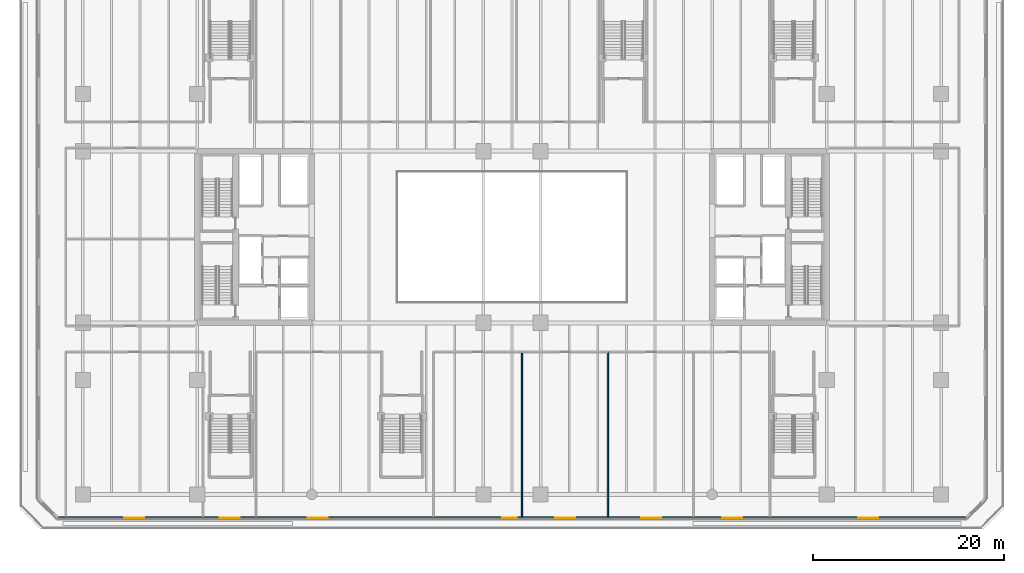
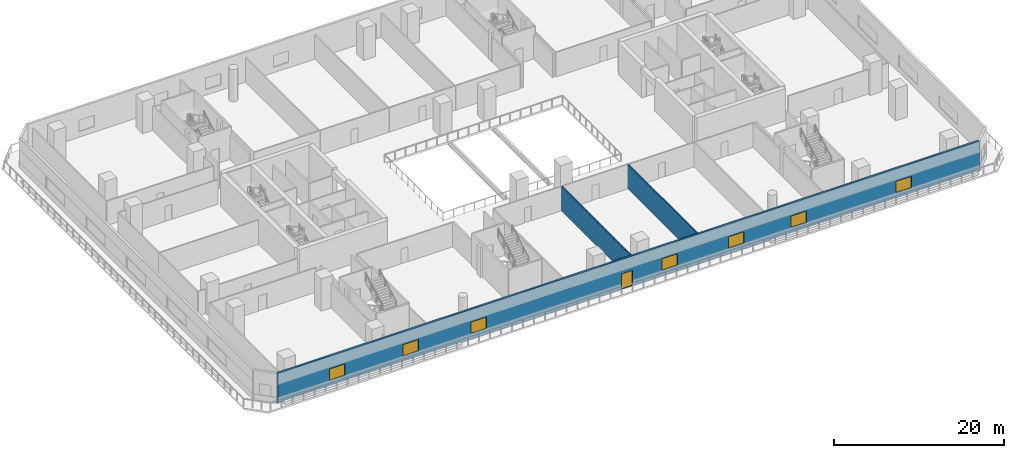
# One storey, part 5 of 27: 7 windows, 3 walls, 1 door, 8 openings.
"""IFC4 building model written with IfcOpenShell, lengths in metres."""

from ifc_helpers import new_model, si_unit, direction, frame, frame_2d, origin, place, context, subcontext, project, spatial, rectangle, extrude, material, layer, layer_set, type_object, element, fill, save


model = new_model("IFC4")

# Units and contexts
model_context = context("Model", 3, precision=1e-05, world=origin(), true_north=direction((0.0, 1.0)))
body_context = subcontext(model_context, "Body", "Model", "MODEL_VIEW")
ifc_project = project(units=[si_unit("LENGTHUNIT", "METRE"), si_unit("AREAUNIT", "SQUARE_METRE"), si_unit("VOLUMEUNIT", "CUBIC_METRE"), si_unit("PLANEANGLEUNIT", "RADIAN"), si_unit("MASSUNIT", "GRAM", prefix="KILO")], contexts=[model_context])

# Site, building, storey
site_placement = place(None, origin())
site = spatial("IfcSite", under=ifc_project, at=site_placement, CompositionType="ELEMENT")
building_placement = place(site_placement, origin())
building = spatial("IfcBuilding", under=site, at=building_placement, Name="Tanjung Sevakor Pilgrim Tower", CompositionType="ELEMENT")
storey_placement = place(building_placement, frame((0.0, 0.0, 19.469970703125)))
storey = spatial("IfcBuildingStorey", under=building, at=storey_placement, Name="L05", CompositionType="ELEMENT", Elevation=19.469970703125)

# Walls
ifc_material_1 = material(Name="Concrete C40/50", Category="concrete")
ifc_layer_1 = layer(ifc_material_1, 0.14990234375)
ifc_layer_set_1 = layer_set([ifc_layer_1], Name="WT-COMP-150")
wall_type_1 = type_object("IfcWallType", Name="WT-COMP-150", PredefinedType="SOLIDWALL", material=ifc_layer_set_1)
for number, where, z_axis, x_axis, name in (
    (1, (58.050048828125, 4.280029296875, 0.0), (0.0, 0.0, 1.0), (0.0, 1.0, 0.0), "L05 Partition IW-L05-041"),
    (2, (67.050048828125, 4.280029296875, 0.0), (0.0, 0.0, 1.0), (0.0, 1.0, 0.0), "L05 Partition IW-L05-043"),
):
    element("IfcWall", number, at=place(storey_placement, frame(where, z_axis=z_axis, x_axis=x_axis)), inside=storey, type_object=wall_type_1, Name=name, PredefinedType="SOLIDWALL", context=body_context, shape_type="SweptSolid", body=[
        extrude(rectangle(XDim=17.27001953125, YDim=0.14990234375, at=frame_2d((8.635009765625, 0.0))), origin(), (0.0, 0.0, 1.0), 3.489990234375),
    ])

# Wall, openings, door, windows
ifc_material_2 = material(Name="Precast concrete C45/55", Category="concrete")
ifc_layer_2 = layer(ifc_material_2, 0.280029296875)
ifc_layer_set_2 = layer_set([ifc_layer_2], Name="WT-EW-STN2")
wall_type_2 = type_object("IfcWallType", Name="WT-EW-STN2", PredefinedType="SOLIDWALL", material=ifc_layer_set_2)
wall_placement = place(storey_placement, frame((9.35791015625, 4.139892578125, 0.0), z_axis=(0.0, 0.0, 1.0), x_axis=(1.0, 0.0, 0.0)))
wall = element("IfcWall", 3, at=wall_placement, inside=storey, type_object=wall_type_2, Name="L05 MAIN Exterior Wall 1", PredefinedType="SOLIDWALL", context=body_context, shape_type="SweptSolid", body=[
    extrude(rectangle(XDim=95.2841796875, YDim=0.280029296875, at=frame_2d((47.64208984375, 0.0))), origin(), (0.0, 0.0, 1.0), 4.27001953125),
])
opening_1_placement = place(wall_placement, frame((46.64208984375, 0.0, 0.0)))
opening_1 = element("IfcOpeningElement", 4, at=opening_1_placement, cuts=wall, Name="Opening ED-TER-1500", PredefinedType="OPENING", context=body_context, shape_type="SweptSolid", body=[
    extrude(rectangle(XDim=1.5, YDim=2.199951171875, at=frame_2d((0.75, 1.10009765625))), frame((0.0, 0.14990234375, 0.0), z_axis=(0.0, -1.0, 0.0), x_axis=(1.0, 0.0, 0.0)), (0.0, 0.0, 1.0), 0.300048828125),
])
opening_2_placement = place(wall_placement, frame((26.241943359375, 0.0, 0.780029296875)))
opening_2 = element("IfcOpeningElement", 5, at=opening_2_placement, cuts=wall, Name="Opening WN-P2-1660", PredefinedType="OPENING", context=body_context, shape_type="SweptSolid", body=[
    extrude(rectangle(XDim=2.10009765625, YDim=1.659912109375, at=frame_2d((1.050048828125, 0.830078125))), frame((0.0, 0.14990234375, 0.0), z_axis=(0.0, -1.0, 0.0), x_axis=(1.0, 0.0, 0.0)), (0.0, 0.0, 1.0), 0.300048828125),
])
opening_3_placement = place(wall_placement, frame((52.19189453125, 0.0, 0.780029296875)))
opening_3 = element("IfcOpeningElement", 6, at=opening_3_placement, cuts=wall, Name="Opening WN-P2-1660", PredefinedType="OPENING", context=body_context, shape_type="SweptSolid", body=[
    extrude(rectangle(XDim=2.10009765625, YDim=1.659912109375, at=frame_2d((1.050048828125, 0.830078125))), frame((0.0, 0.14990234375, 0.0), z_axis=(0.0, -1.0, 0.0), x_axis=(1.0, 0.0, 0.0)), (0.0, 0.0, 1.0), 0.300048828125),
])
opening_4_placement = place(wall_placement, frame((61.19189453125, 0.0, 0.780029296875)))
opening_4 = element("IfcOpeningElement", 7, at=opening_4_placement, cuts=wall, Name="Opening WN-P2-1660", PredefinedType="OPENING", context=body_context, shape_type="SweptSolid", body=[
    extrude(rectangle(XDim=2.10009765625, YDim=1.659912109375, at=frame_2d((1.050048828125, 0.830078125))), frame((0.0, 0.14990234375, 0.0), z_axis=(0.0, -1.0, 0.0), x_axis=(1.0, 0.0, 0.0)), (0.0, 0.0, 1.0), 0.300048828125),
])
opening_5_placement = place(wall_placement, frame((69.69189453125, 0.0, 0.780029296875)))
opening_5 = element("IfcOpeningElement", 8, at=opening_5_placement, cuts=wall, Name="Opening WN-P2-1660", PredefinedType="OPENING", context=body_context, shape_type="SweptSolid", body=[
    extrude(rectangle(XDim=2.10009765625, YDim=1.659912109375, at=frame_2d((1.050048828125, 0.830078125))), frame((0.0, 0.14990234375, 0.0), z_axis=(0.0, -1.0, 0.0), x_axis=(1.0, 0.0, 0.0)), (0.0, 0.0, 1.0), 0.300048828125),
])
opening_6_placement = place(wall_placement, frame((6.991943359375, 0.0, 0.780029296875)))
opening_6 = element("IfcOpeningElement", 9, at=opening_6_placement, cuts=wall, Name="Opening WN-P2-1660", PredefinedType="OPENING", context=body_context, shape_type="SweptSolid", body=[
    extrude(rectangle(XDim=2.10009765625, YDim=1.659912109375, at=frame_2d((1.050048828125, 0.830078125))), frame((0.0, 0.14990234375, 0.0), z_axis=(0.0, -1.0, 0.0), x_axis=(1.0, 0.0, 0.0)), (0.0, 0.0, 1.0), 0.300048828125),
])
opening_7_placement = place(wall_placement, frame((16.967041015625, 0.0, 0.780029296875)))
opening_7 = element("IfcOpeningElement", 10, at=opening_7_placement, cuts=wall, Name="Opening WN-P2-1660", PredefinedType="OPENING", context=body_context, shape_type="SweptSolid", body=[
    extrude(rectangle(XDim=2.10009765625, YDim=1.659912109375, at=frame_2d((1.050048828125, 0.830078125))), frame((0.0, 0.14990234375, 0.0), z_axis=(0.0, -1.0, 0.0), x_axis=(1.0, 0.0, 0.0)), (0.0, 0.0, 1.0), 0.300048828125),
])
opening_8_placement = place(wall_placement, frame((83.93798828125, 0.0, 0.780029296875)))
opening_8 = element("IfcOpeningElement", 11, at=opening_8_placement, cuts=wall, Name="Opening WN-P2-1660", PredefinedType="OPENING", context=body_context, shape_type="SweptSolid", body=[
    extrude(rectangle(XDim=2.10009765625, YDim=1.659912109375, at=frame_2d((1.050048828125, 0.830078125))), frame((0.0, 0.14990234375, 0.0), z_axis=(0.0, -1.0, 0.0), x_axis=(1.0, 0.0, 0.0)), (0.0, 0.0, 1.0), 0.300048828125),
])
ifc_material_3 = material(Name="Anodised Aluminium and Laminated Glass", Category="aluminium")
door_type = type_object("IfcDoorType", Name="DTYP-ED-TER-1500", OperationType="DOUBLE_DOOR_SINGLE_SWING", PredefinedType="DOOR", material=ifc_material_3)
door_placement = place(opening_1_placement, frame((1.5, 0.0, 0.0), z_axis=(0.0, 0.0, 1.0), x_axis=(-1.0, 0.0, 0.0)))
door = element("IfcDoor", 12, at=door_placement, inside=storey, type_object=door_type, Name="L05 Cascade Terrace Door S", OperationType="SINGLE_SWING_RIGHT", OverallHeight=2.199951171875, OverallWidth=1.5, PredefinedType="DOOR", context=body_context, shape_type="SweptSolid", body=[
    extrude(rectangle(XDim=1.5, YDim=2.199951171875, at=frame_2d((0.75, 1.10009765625))), frame((0.0, 0.02490234375, 0.0), z_axis=(0.0, -1.0, 0.0), x_axis=(1.0, 0.0, 0.0)), (0.0, 0.0, 1.0), 0.050048828125),
])
fill(opening_1, door)
ifc_material_4 = material(Name="Thermally Broken Aluminium and Low-E Glass", Category="aluminium")
window_type = type_object("IfcWindowType", Name="WTYP-WN-P2-1660", PartitioningType="DOUBLE_PANEL_VERTICAL", PredefinedType="WINDOW", material=ifc_material_4)
window_1_placement = place(opening_2_placement, origin())
window_1 = element("IfcWindow", 13, at=window_1_placement, inside=storey, type_object=window_type, Name="L05 Facade Window 01", OverallHeight=1.659912109375, OverallWidth=2.10009765625, PartitioningType="SINGLE_PANEL", PredefinedType="WINDOW", context=body_context, shape_type="SweptSolid", body=[
    extrude(rectangle(XDim=2.10009765625, YDim=1.659912109375, at=frame_2d((1.050048828125, 0.830078125))), frame((0.0, 0.030029296875, 0.0), z_axis=(0.0, -1.0, 0.0), x_axis=(1.0, 0.0, 0.0)), (0.0, 0.0, 1.0), 0.06005859375),
])
fill(opening_2, window_1)
window_2_placement = place(opening_3_placement, origin())
window_2 = element("IfcWindow", 14, at=window_2_placement, inside=storey, type_object=window_type, Name="L05 Facade Window 02", OverallHeight=1.659912109375, OverallWidth=2.10009765625, PartitioningType="SINGLE_PANEL", PredefinedType="WINDOW", context=body_context, shape_type="SweptSolid", body=[
    extrude(rectangle(XDim=2.10009765625, YDim=1.659912109375, at=frame_2d((1.050048828125, 0.830078125))), frame((0.0, 0.030029296875, 0.0), z_axis=(0.0, -1.0, 0.0), x_axis=(1.0, 0.0, 0.0)), (0.0, 0.0, 1.0), 0.06005859375),
])
fill(opening_3, window_2)
window_3_placement = place(opening_4_placement, origin())
window_3 = element("IfcWindow", 15, at=window_3_placement, inside=storey, type_object=window_type, Name="L05 Facade Window 03", OverallHeight=1.659912109375, OverallWidth=2.10009765625, PartitioningType="SINGLE_PANEL", PredefinedType="WINDOW", context=body_context, shape_type="SweptSolid", body=[
    extrude(rectangle(XDim=2.10009765625, YDim=1.659912109375, at=frame_2d((1.050048828125, 0.830078125))), frame((0.0, 0.030029296875, 0.0), z_axis=(0.0, -1.0, 0.0), x_axis=(1.0, 0.0, 0.0)), (0.0, 0.0, 1.0), 0.06005859375),
])
fill(opening_4, window_3)
window_4_placement = place(opening_5_placement, origin())
window_4 = element("IfcWindow", 16, at=window_4_placement, inside=storey, type_object=window_type, Name="L05 Facade Window 04", OverallHeight=1.659912109375, OverallWidth=2.10009765625, PartitioningType="SINGLE_PANEL", PredefinedType="WINDOW", context=body_context, shape_type="SweptSolid", body=[
    extrude(rectangle(XDim=2.10009765625, YDim=1.659912109375, at=frame_2d((1.050048828125, 0.830078125))), frame((0.0, 0.030029296875, 0.0), z_axis=(0.0, -1.0, 0.0), x_axis=(1.0, 0.0, 0.0)), (0.0, 0.0, 1.0), 0.06005859375),
])
fill(opening_5, window_4)
window_5_placement = place(opening_6_placement, origin())
window_5 = element("IfcWindow", 17, at=window_5_placement, inside=storey, type_object=window_type, Name="L05 Facade Window 05", OverallHeight=1.659912109375, OverallWidth=2.10009765625, PartitioningType="SINGLE_PANEL", PredefinedType="WINDOW", context=body_context, shape_type="SweptSolid", body=[
    extrude(rectangle(XDim=2.10009765625, YDim=1.659912109375, at=frame_2d((1.050048828125, 0.830078125))), frame((0.0, 0.030029296875, 0.0), z_axis=(0.0, -1.0, 0.0), x_axis=(1.0, 0.0, 0.0)), (0.0, 0.0, 1.0), 0.06005859375),
])
fill(opening_6, window_5)
window_6_placement = place(opening_7_placement, origin())
window_6 = element("IfcWindow", 18, at=window_6_placement, inside=storey, type_object=window_type, Name="L05 Facade Window 06", OverallHeight=1.659912109375, OverallWidth=2.10009765625, PartitioningType="SINGLE_PANEL", PredefinedType="WINDOW", context=body_context, shape_type="SweptSolid", body=[
    extrude(rectangle(XDim=2.10009765625, YDim=1.659912109375, at=frame_2d((1.050048828125, 0.830078125))), frame((0.0, 0.030029296875, 0.0), z_axis=(0.0, -1.0, 0.0), x_axis=(1.0, 0.0, 0.0)), (0.0, 0.0, 1.0), 0.06005859375),
])
fill(opening_7, window_6)
window_7_placement = place(opening_8_placement, origin())
window_7 = element("IfcWindow", 19, at=window_7_placement, inside=storey, type_object=window_type, Name="L05 Facade Window 07", OverallHeight=1.659912109375, OverallWidth=2.10009765625, PartitioningType="SINGLE_PANEL", PredefinedType="WINDOW", context=body_context, shape_type="SweptSolid", body=[
    extrude(rectangle(XDim=2.10009765625, YDim=1.659912109375, at=frame_2d((1.050048828125, 0.830078125))), frame((0.0, 0.030029296875, 0.0), z_axis=(0.0, -1.0, 0.0), x_axis=(1.0, 0.0, 0.0)), (0.0, 0.0, 1.0), 0.06005859375),
])
fill(opening_8, window_7)

save(model, "model.ifc")
